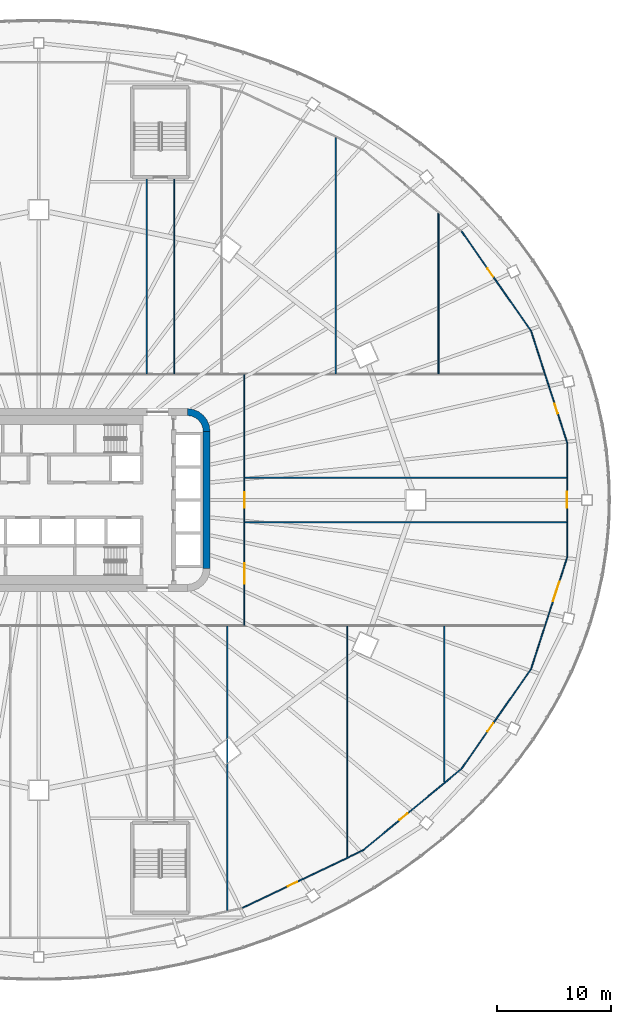
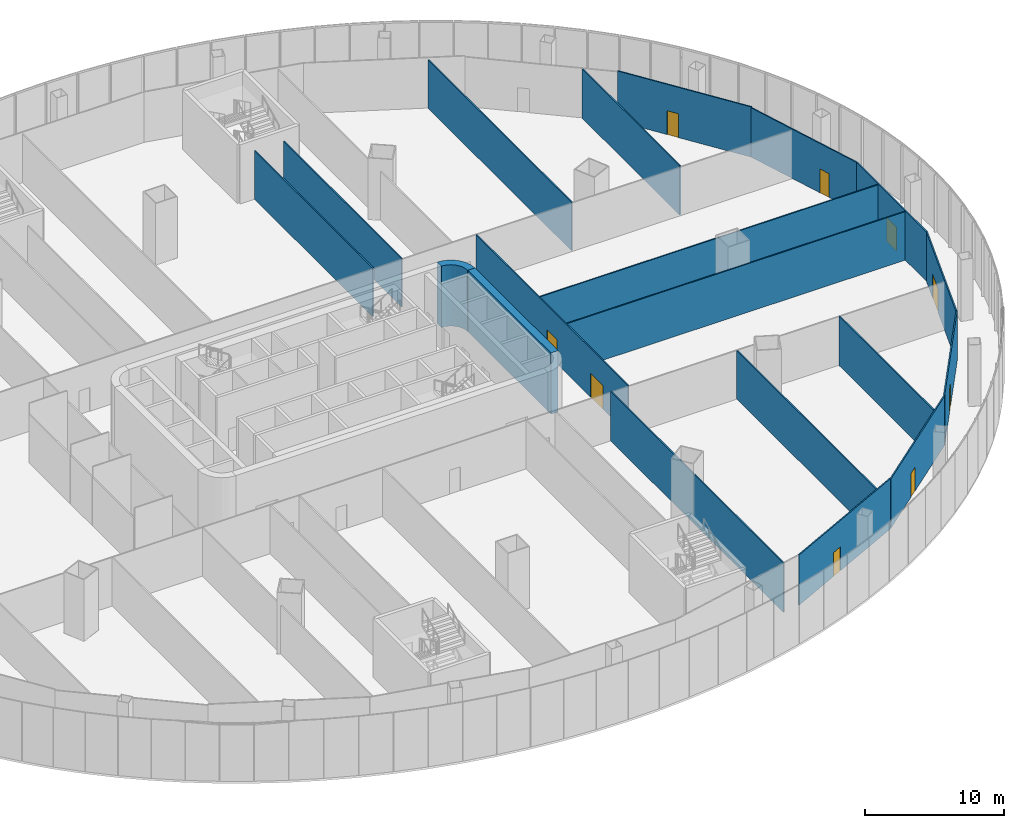
# One storey, part 26 of 42: 19 walls, 9 doors, 9 openings.
"""IFC4 building model written with IfcOpenShell, lengths in metres."""

import ifcopenshell
import ifcopenshell.guid

model = None  # the IFC model being written
_history = None  # IfcOwnerHistory: only IFC2X3 demands one
_inside = {}  # id of a spatial element -> (the spatial element, [elements in it])
_under = {}  # id of a project, library or spatial element -> (it, [spatial elements below it])
_declared = {}  # id of a project -> (the project, [libraries it declares])
_typed = {}  # id of a type object -> (the type object, [elements of that type])
_made_of = {}  # id of a material, layer set ... -> (it, [elements and type objects made of it])


def new_model(schema):
    """Start an empty IFC model of exactly this schema.

    Asked for "IFC4X3", IfcOpenShell would pick the latest addendum, in which some entities
    have other attributes; the version numbers below select the first issue.
    IFC2X3 requires an IfcOwnerHistory on every rooted entity: one is made here for all.
    """
    global model, _history
    if schema == "IFC4X3":
        model = ifcopenshell.file(schema_version=(4, 3, 0, 0))
    else:
        model = ifcopenshell.file(schema=schema)
    _inside.clear()
    _under.clear()
    _declared.clear()
    _typed.clear()
    _made_of.clear()
    _history = None
    if model.schema == "IFC2X3":
        org = make("IfcOrganization", Name="unknown")
        user = make(
            "IfcPersonAndOrganization",
            ThePerson=make("IfcPerson", FamilyName="unknown"),
            TheOrganization=org,
        )
        app = make(
            "IfcApplication",
            ApplicationDeveloper=org,
            Version="unknown",
            ApplicationFullName="unknown",
            ApplicationIdentifier="unknown",
        )
        _history = make(
            "IfcOwnerHistory",
            OwningUser=user,
            OwningApplication=app,
            ChangeAction="ADDED",
            CreationDate=0,
        )
    return model


def make(cls, **values):
    """One entity of the class cls with the attributes given. An attribute that is None is left unset."""
    return model.create_entity(
        cls, **{name: value for name, value in values.items() if value is not None}
    )


def rooted(cls, **values):
    """An entity with a GlobalId (a new one), such as an element, a storey or a relation."""
    return make(cls, GlobalId=ifcopenshell.guid.new(), OwnerHistory=_history, **values)


def si_unit(unit_type, name, prefix=None):
    """IfcSIUnit, for example si_unit("LENGTHUNIT", "METRE", prefix="MILLI")."""
    return make("IfcSIUnit", UnitType=unit_type, Prefix=prefix, Name=name)


def assignment(units):
    """IfcUnitAssignment: the units of a project."""
    return None if units is None else make("IfcUnitAssignment", Units=units)


def point(xyz):
    """IfcCartesianPoint."""
    return None if xyz is None else make("IfcCartesianPoint", Coordinates=xyz)


def direction(xyz):
    """IfcDirection."""
    return None if xyz is None else make("IfcDirection", DirectionRatios=xyz)


def frame(location, z_axis=None, x_axis=None):
    """IfcAxis2Placement3D, a coordinate frame: its origin and axes. An axis left out is left unset."""
    return make(
        "IfcAxis2Placement3D",
        Location=point(location),
        Axis=direction(z_axis),
        RefDirection=direction(x_axis),
    )


def frame_2d(location, x_axis=None):
    """IfcAxis2Placement2D, a coordinate frame in the plane: its origin and x axis."""
    return make(
        "IfcAxis2Placement2D", Location=point(location), RefDirection=direction(x_axis)
    )


def origin():
    """The frame at (0, 0, 0) with its axes left unset."""
    return frame((0.0, 0.0, 0.0))


def place(relative_to, where):
    """IfcLocalPlacement: puts the frame where relative to a parent placement (None: the world)."""
    return make(
        "IfcLocalPlacement", PlacementRelTo=relative_to, RelativePlacement=where
    )


def context(
    kind, dimensions, precision=None, world=None, true_north=None, identifier=None
):
    """IfcGeometricRepresentationContext, for example the 3D "Model" context."""
    return make(
        "IfcGeometricRepresentationContext",
        ContextIdentifier=identifier,
        ContextType=kind,
        CoordinateSpaceDimension=dimensions,
        Precision=precision,
        WorldCoordinateSystem=world,
        TrueNorth=true_north,
    )


def subcontext(parent, identifier, kind, view, scale=None):
    """IfcGeometricRepresentationSubContext, for example "Body" below "Model"."""
    return make(
        "IfcGeometricRepresentationSubContext",
        ContextIdentifier=identifier,
        ContextType=kind,
        ParentContext=parent,
        TargetScale=scale,
        TargetView=view,
    )


def project(units=None, contexts=None):
    """IfcProject with its units and contexts."""
    return rooted(
        "IfcProject",
        Name="project",
        RepresentationContexts=contexts,
        UnitsInContext=assignment(units),
    )


def spatial(cls, under=None, at=None, **own):
    """A site, building, storey or space (cls), placed at a placement, below another one or the project."""
    s = rooted(cls, ObjectPlacement=at, **own)
    if under is not None:
        _under.setdefault(under.id(), (under, []))[1].append(s)
    return s


def polyline(points):
    """IfcPolyline through the points."""
    return make("IfcPolyline", Points=[point(p) for p in points])


def profile(cls, at=None, kind="AREA", **sizes):
    """A parametric profile (cls). Its sizes go by their IFC names, for example OverallWidth=200.0."""
    return make(cls, ProfileType=kind, Position=at, **sizes)


def rectangle(**sizes):
    """IfcRectangleProfileDef."""
    return profile("IfcRectangleProfileDef", **sizes)


def outline(outer, holes=None, kind="AREA"):
    """IfcArbitraryClosedProfileDef: a profile drawn as a closed curve; with holes, ...WithVoids."""
    if holes is None:
        return make("IfcArbitraryClosedProfileDef", ProfileType=kind, OuterCurve=outer)
    return make(
        "IfcArbitraryProfileDefWithVoids",
        ProfileType=kind,
        OuterCurve=outer,
        InnerCurves=holes,
    )


def extrude(swept, where, along, depth):
    """IfcExtrudedAreaSolid: the profile swept, set in the frame where, extruded along a direction by depth."""
    return make(
        "IfcExtrudedAreaSolid",
        SweptArea=swept,
        Position=where,
        ExtrudedDirection=direction(along),
        Depth=depth,
    )


def shape(context_of_items, identifier, shape_type, items):
    """IfcShapeRepresentation: the items that make up one representation, for example the "Body"."""
    return make(
        "IfcShapeRepresentation",
        ContextOfItems=context_of_items,
        RepresentationIdentifier=identifier,
        RepresentationType=shape_type,
        Items=items,
    )


def material(Name=None, Category=None):
    """IfcMaterial."""
    return make("IfcMaterial", Name=Name, Category=Category)


def layer(
    of_material, thickness, ventilated=None, Name=None, Category=None, Priority=None
):
    """IfcMaterialLayer: one layer of a wall or slab, of a material (None: an air gap)."""
    return make(
        "IfcMaterialLayer",
        Material=of_material,
        LayerThickness=thickness,
        IsVentilated=ventilated,
        Name=Name,
        Category=Category,
        Priority=Priority,
    )


def layer_set(layers, Name=None):
    """IfcMaterialLayerSet."""
    return make("IfcMaterialLayerSet", MaterialLayers=layers, LayerSetName=Name)


def made_of(thing, what):
    """Note that an element or type object is made of a material, layer set ...; save() writes the relation."""
    if what is not None:
        _made_of.setdefault(what.id(), (what, []))[1].append(thing)
    return thing


def type_object(cls, material=None, **own):
    """A type object (cls), such as IfcWallType, which elements share."""
    return made_of(rooted(cls, **own), material)


def element(
    cls,
    number,
    at=None,
    inside=None,
    cuts=None,
    type_object=None,
    material=None,
    context=None,
    identifier="Body",
    shape_type=None,
    held_by="IfcProductDefinitionShape",
    body=None,
    shapes=None,
    **own,
):
    """One element of the class cls, such as IfcWall. Its Tag is "e" and its number.

    at: its placement. inside: the storey or other place that contains it. cuts: it is an
    opening in that element (IfcRelVoidsElement). A single representation is given by context,
    identifier, shape_type and body (its items); several are given by shapes. held_by: the class
    of the entity that holds the representations. save() writes the other relations.
    """
    e = rooted(cls, Tag="e%d" % number, ObjectPlacement=at, **own)
    if body is not None:
        shapes = [shape(context, identifier, shape_type, body)]
    if shapes is not None:
        e.Representation = make(held_by, Representations=shapes)
    if inside is not None:
        _inside.setdefault(inside.id(), (inside, []))[1].append(e)
    if cuts is not None:
        rooted(
            "IfcRelVoidsElement", RelatingBuildingElement=cuts, RelatedOpeningElement=e
        )
    if type_object is not None:
        _typed.setdefault(type_object.id(), (type_object, []))[1].append(e)
    return made_of(e, material)


def fill(opening, filler):
    """IfcRelFillsElement: the door or window that sits in an opening."""
    return rooted(
        "IfcRelFillsElement",
        RelatingOpeningElement=opening,
        RelatedBuildingElement=filler,
    )


def aggregate(whole, parts):
    """IfcRelAggregates: a whole, such as a stair, and the parts it consists of."""
    return rooted("IfcRelAggregates", RelatingObject=whole, RelatedObjects=parts)


def save(model, path):
    """Write the relations noted so far, then the file.

    IfcRelAggregates (storeys below a building ...), IfcRelContainedInSpatialStructure (elements
    in a storey), IfcRelDefinesByType, IfcRelAssociatesMaterial and IfcRelDeclares: one each for
    every whole, place, type object, material and project.
    """
    for whole, parts in _under.values():
        aggregate(whole, parts)
    for where, things in _inside.values():
        rooted(
            "IfcRelContainedInSpatialStructure",
            RelatedElements=things,
            RelatingStructure=where,
        )
    for kind, things in _typed.values():
        rooted("IfcRelDefinesByType", RelatedObjects=things, RelatingType=kind)
    for what, things in _made_of.values():
        rooted("IfcRelAssociatesMaterial", RelatedObjects=things, RelatingMaterial=what)
    for by, libraries in _declared.values():
        rooted("IfcRelDeclares", RelatingContext=by, RelatedDefinitions=libraries)
    model.write(path)


model = new_model("IFC4")

# Units and contexts
model_context = context("Model", 3, precision=1e-05, world=origin(), true_north=direction((0.0, 1.0)))
body_context = subcontext(model_context, "Body", "Model", "MODEL_VIEW")
ifc_project = project(units=[si_unit("LENGTHUNIT", "METRE"), si_unit("AREAUNIT", "SQUARE_METRE"), si_unit("VOLUMEUNIT", "CUBIC_METRE"), si_unit("PLANEANGLEUNIT", "RADIAN"), si_unit("MASSUNIT", "GRAM", prefix="KILO")], contexts=[model_context])

# Site, building, storey
site_placement = place(None, origin())
site = spatial("IfcSite", under=ifc_project, at=site_placement, CompositionType="ELEMENT")
building_placement = place(site_placement, origin())
building = spatial("IfcBuilding", under=site, at=building_placement, Name="Sahrelin Media Tower", CompositionType="ELEMENT")
storey_placement = place(building_placement, frame((0.0, 0.0, 26.0)))
storey = spatial("IfcBuildingStorey", under=building, at=storey_placement, Name="L03", CompositionType="ELEMENT", Elevation=26.0)

# Walls
ifc_material_1 = material(Name="Concrete C60/75", Category="concrete")
ifc_layer_1 = layer(ifc_material_1, 0.60009765625)
ifc_layer_set_1 = layer_set([ifc_layer_1], Name="Core wall 600")
wall_type_1 = type_object("IfcWallType", Name="Core wall 600", PredefinedType="SHEAR", material=ifc_layer_set_1)
wall_1_placement = place(storey_placement, frame((14.699951171875, -6.0, 0.0), z_axis=(0.0, 0.0, 1.0), x_axis=(0.0, 1.0, 0.0)))
element("IfcWall", 1, at=wall_1_placement, inside=storey, type_object=wall_type_1, Name="Core wall E L03", PredefinedType="SHEAR", context=body_context, shape_type="SweptSolid", body=[
    extrude(rectangle(XDim=12.0, YDim=0.60009765625, at=frame_2d((6.0, 0.0))), origin(), (0.0, 0.0, 1.0), 5.39990234375),
])
wall_2_placement = place(storey_placement, origin())
element("IfcWall", 2, at=wall_2_placement, inside=storey, type_object=wall_type_1, Name="Core wall corner NE L03", PredefinedType="SHEAR", context=body_context, shape_type="SweptSolid", body=[
    extrude(outline(polyline([(13.0, 8.0), (13.0, 7.394775390625), (13.361083984375, 7.347412109375), (13.697509765625, 7.2080078125), (13.986328125, 6.986328125), (14.2080078125, 6.697509765625), (14.347412109375, 6.361083984375), (14.394775390625, 6.0), (15.0, 6.0), (14.931884765625, 6.517578125), (14.732177734375, 7.0), (14.414306640625, 7.414306640625), (14.0, 7.732177734375), (13.517578125, 7.931884765625), (13.0, 8.0)])), origin(), (0.0, 0.0, 1.0), 5.39990234375),
])

# Wall, opening, door
ifc_material_2 = material(Name="Gypsum board partition")
ifc_layer_2 = layer(ifc_material_2, 0.10009765625)
ifc_layer_set_2 = layer_set([ifc_layer_2], Name="Partition 100")
wall_type_2 = type_object("IfcWallType", Name="Partition 100", PredefinedType="PARTITIONING", material=ifc_layer_set_2)
wall_3_placement = place(storey_placement, frame((46.2509765625, 5.044921875, 0.0), z_axis=(0.0, 0.0, 1.0), x_axis=(-0.307713034182, 0.951479210805, 0.0)))
wall_3 = element("IfcWall", 3, at=wall_3_placement, inside=storey, type_object=wall_type_2, Name="Wall", PredefinedType="PARTITIONING", context=body_context, shape_type="SweptSolid", body=[
    extrude(rectangle(XDim=10.242919921875, YDim=0.10009765625, at=frame_2d((5.12158203125, 0.0))), origin(), (0.0, 0.0, 1.0), 4.34521484375),
])
opening_1_placement = place(wall_3_placement, frame((2.64990234375, 0.0, 0.0)))
opening_1 = element("IfcOpeningElement", 4, at=opening_1_placement, cuts=wall_3, Name="Opening L03-D44", PredefinedType="OPENING", context=body_context, shape_type="SweptSolid", body=[
    extrude(rectangle(XDim=0.89990234375, YDim=2.10009765625, at=frame_2d((0.449951171875, 1.050048828125))), frame((0.0, 0.050048828125, 0.0), z_axis=(0.0, -1.0, 0.0), x_axis=(1.0, 0.0, 0.0)), (0.0, 0.0, 1.0), 0.10009765625),
])
ifc_material_3 = material(Name="Timber door leaf", Category="wood")
door_type_1 = type_object("IfcDoorType", Name="Single door 900 x 2100", OperationType="NOTDEFINED", PredefinedType="DOOR", material=ifc_material_3)
door_1_placement = place(opening_1_placement, origin())
door_1 = element("IfcDoor", 5, at=door_1_placement, inside=storey, type_object=door_type_1, Name="Single door", OperationType="SINGLE_SWING_LEFT", OverallHeight=2.10009765625, OverallWidth=0.89990234375, PredefinedType="DOOR", context=body_context, shape_type="SweptSolid", body=[
    extrude(rectangle(XDim=0.89990234375, YDim=2.10009765625, at=frame_2d((0.449951171875, 1.050048828125))), frame((0.0, 0.02490234375, 0.0), z_axis=(0.0, -1.0, 0.0), x_axis=(1.0, 0.0, 0.0)), (0.0, 0.0, 1.0), 0.050048828125),
])
fill(opening_1, door_1)

wall_4_placement = place(storey_placement, frame((43.09912109375, 14.790771484375, 0.0), z_axis=(0.0, 0.0, 1.0), x_axis=(-0.571737958261, 0.820436290692, 0.0)))
wall_4 = element("IfcWall", 6, at=wall_4_placement, inside=storey, type_object=wall_type_2, Name="Wall", PredefinedType="PARTITIONING", context=body_context, shape_type="SweptSolid", body=[
    extrude(rectangle(XDim=10.650146484375, YDim=0.10009765625, at=frame_2d((5.3251953125, 0.0))), origin(), (0.0, 0.0, 1.0), 4.426025390625),
])
opening_2_placement = place(wall_4_placement, frame((5.7900390625, 0.0, 0.0)))
opening_2 = element("IfcOpeningElement", 7, at=opening_2_placement, cuts=wall_4, Name="Opening L03-D33", PredefinedType="OPENING", context=body_context, shape_type="SweptSolid", body=[
    extrude(rectangle(XDim=0.89990234375, YDim=2.10009765625, at=frame_2d((0.449951171875, 1.050048828125))), frame((0.0, 0.050048828125, 0.0), z_axis=(0.0, -1.0, 0.0), x_axis=(1.0, 0.0, 0.0)), (0.0, 0.0, 1.0), 0.10009765625),
])
door_2_placement = place(opening_2_placement, origin())
door_2 = element("IfcDoor", 8, at=door_2_placement, inside=storey, type_object=door_type_1, Name="Single door", OperationType="SINGLE_SWING_RIGHT", OverallHeight=2.10009765625, OverallWidth=0.89990234375, PredefinedType="DOOR", context=body_context, shape_type="SweptSolid", body=[
    extrude(rectangle(XDim=0.89990234375, YDim=2.10009765625, at=frame_2d((0.449951171875, 1.050048828125))), frame((0.0, 0.02490234375, 0.0), z_axis=(0.0, -1.0, 0.0), x_axis=(1.0, 0.0, 0.0)), (0.0, 0.0, 1.0), 0.050048828125),
])
fill(opening_2, door_2)

wall_5_placement = place(storey_placement, frame((17.852294921875, -35.7080078125, 0.0), z_axis=(0.0, 0.0, 1.0), x_axis=(0.902100999032, 0.431524955878, 0.0)))
wall_5 = element("IfcWall", 9, at=wall_5_placement, inside=storey, type_object=wall_type_2, Name="Wall", PredefinedType="PARTITIONING", context=body_context, shape_type="SweptSolid", body=[
    extrude(rectangle(XDim=11.69091796875, YDim=0.10009765625, at=frame_2d((5.845458984375, 0.0))), origin(), (0.0, 0.0, 1.0), 4.426025390625),
])
opening_3_placement = place(wall_5_placement, frame((4.385009765625, 0.0, 0.0)))
opening_3 = element("IfcOpeningElement", 10, at=opening_3_placement, cuts=wall_5, Name="Opening L03-D39", PredefinedType="OPENING", context=body_context, shape_type="SweptSolid", body=[
    extrude(rectangle(XDim=0.89990234375, YDim=2.10009765625, at=frame_2d((0.449951171875, 1.050048828125))), frame((0.0, 0.050048828125, 0.0), z_axis=(0.0, -1.0, 0.0), x_axis=(1.0, 0.0, 0.0)), (0.0, 0.0, 1.0), 0.10009765625),
])
door_3_placement = place(opening_3_placement, origin())
door_3 = element("IfcDoor", 11, at=door_3_placement, inside=storey, type_object=door_type_1, Name="Single door", OperationType="SINGLE_SWING_LEFT", OverallHeight=2.10009765625, OverallWidth=0.89990234375, PredefinedType="DOOR", context=body_context, shape_type="SweptSolid", body=[
    extrude(rectangle(XDim=0.89990234375, YDim=2.10009765625, at=frame_2d((0.449951171875, 1.050048828125))), frame((0.0, 0.02490234375, 0.0), z_axis=(0.0, -1.0, 0.0), x_axis=(1.0, 0.0, 0.0)), (0.0, 0.0, 1.0), 0.050048828125),
])
fill(opening_3, door_3)

wall_6_placement = place(storey_placement, frame((28.398681640625, -30.6630859375, 0.0), z_axis=(0.0, 0.0, 1.0), x_axis=(0.770046995363, 0.637987166746, 0.0)))
wall_6 = element("IfcWall", 12, at=wall_6_placement, inside=storey, type_object=wall_type_2, Name="Wall", PredefinedType="PARTITIONING", context=body_context, shape_type="SweptSolid", body=[
    extrude(rectangle(XDim=11.182861328125, YDim=0.10009765625, at=frame_2d((5.59130859375, 0.0))), origin(), (0.0, 0.0, 1.0), 4.34521484375),
])
opening_4_placement = place(wall_6_placement, frame((4.14990234375, 0.0, 0.0)))
opening_4 = element("IfcOpeningElement", 13, at=opening_4_placement, cuts=wall_6, Name="Opening L03-D40", PredefinedType="OPENING", context=body_context, shape_type="SweptSolid", body=[
    extrude(rectangle(XDim=0.89990234375, YDim=2.10009765625, at=frame_2d((0.449951171875, 1.050048828125))), frame((0.0, 0.050048828125, 0.0), z_axis=(0.0, -1.0, 0.0), x_axis=(1.0, 0.0, 0.0)), (0.0, 0.0, 1.0), 0.10009765625),
])
door_4_placement = place(opening_4_placement, origin())
door_4 = element("IfcDoor", 14, at=door_4_placement, inside=storey, type_object=door_type_1, Name="Single door", OperationType="SINGLE_SWING_LEFT", OverallHeight=2.10009765625, OverallWidth=0.89990234375, PredefinedType="DOOR", context=body_context, shape_type="SweptSolid", body=[
    extrude(rectangle(XDim=0.89990234375, YDim=2.10009765625, at=frame_2d((0.449951171875, 1.050048828125))), frame((0.0, 0.02490234375, 0.0), z_axis=(0.0, -1.0, 0.0), x_axis=(1.0, 0.0, 0.0)), (0.0, 0.0, 1.0), 0.050048828125),
])
fill(opening_4, door_4)

wall_7_placement = place(storey_placement, frame((37.010009765625, -23.528564453125, 0.0), z_axis=(0.0, 0.0, 1.0), x_axis=(0.571737958261, 0.820436290692, 0.0)))
wall_7 = element("IfcWall", 15, at=wall_7_placement, inside=storey, type_object=wall_type_2, Name="Wall", PredefinedType="PARTITIONING", context=body_context, shape_type="SweptSolid", body=[
    extrude(rectangle(XDim=10.650146484375, YDim=0.10009765625, at=frame_2d((5.3251953125, 0.0))), origin(), (0.0, 0.0, 1.0), 4.426025390625),
])
opening_5_placement = place(wall_7_placement, frame((3.9599609375, 0.0, 0.0)))
opening_5 = element("IfcOpeningElement", 16, at=opening_5_placement, cuts=wall_7, Name="Opening L03-D41", PredefinedType="OPENING", context=body_context, shape_type="SweptSolid", body=[
    extrude(rectangle(XDim=0.89990234375, YDim=2.10009765625, at=frame_2d((0.449951171875, 1.050048828125))), frame((0.0, 0.050048828125, 0.0), z_axis=(0.0, -1.0, 0.0), x_axis=(1.0, 0.0, 0.0)), (0.0, 0.0, 1.0), 0.10009765625),
])
door_5_placement = place(opening_5_placement, origin())
door_5 = element("IfcDoor", 17, at=door_5_placement, inside=storey, type_object=door_type_1, Name="Single door", OperationType="SINGLE_SWING_LEFT", OverallHeight=2.10009765625, OverallWidth=0.89990234375, PredefinedType="DOOR", context=body_context, shape_type="SweptSolid", body=[
    extrude(rectangle(XDim=0.89990234375, YDim=2.10009765625, at=frame_2d((0.449951171875, 1.050048828125))), frame((0.0, 0.02490234375, 0.0), z_axis=(0.0, -1.0, 0.0), x_axis=(1.0, 0.0, 0.0)), (0.0, 0.0, 1.0), 0.050048828125),
])
fill(opening_5, door_5)

wall_8_placement = place(storey_placement, frame((43.09912109375, -14.790771484375, 0.0), z_axis=(0.0, 0.0, 1.0), x_axis=(0.307713034182, 0.951479210805, 0.0)))
wall_8 = element("IfcWall", 18, at=wall_8_placement, inside=storey, type_object=wall_type_2, Name="Wall", PredefinedType="PARTITIONING", context=body_context, shape_type="SweptSolid", body=[
    extrude(rectangle(XDim=10.242919921875, YDim=0.10009765625, at=frame_2d((5.12158203125, 0.0))), origin(), (0.0, 0.0, 1.0), 4.34521484375),
])
opening_6_placement = place(wall_8_placement, frame((6.220947265625, 0.0, 0.0)))
opening_6 = element("IfcOpeningElement", 19, at=opening_6_placement, cuts=wall_8, Name="Opening L03-D43", PredefinedType="OPENING", context=body_context, shape_type="SweptSolid", body=[
    extrude(rectangle(XDim=1.800048828125, YDim=2.10009765625, at=frame_2d((0.89990234375, 1.050048828125))), frame((0.0, 0.050048828125, 0.0), z_axis=(0.0, -1.0, 0.0), x_axis=(1.0, 0.0, 0.0)), (0.0, 0.0, 1.0), 0.10009765625),
])
door_type_2 = type_object("IfcDoorType", Name="Double door 1800 x 2100", OperationType="DOUBLE_DOOR_SINGLE_SWING", PredefinedType="DOOR", material=ifc_material_3)
door_6_placement = place(opening_6_placement, origin())
door_6 = element("IfcDoor", 20, at=door_6_placement, inside=storey, type_object=door_type_2, Name="Double door", OperationType="DOUBLE_DOOR_SINGLE_SWING", OverallHeight=2.10009765625, OverallWidth=1.800048828125, PredefinedType="DOOR", context=body_context, shape_type="SweptSolid", body=[
    extrude(rectangle(XDim=1.800048828125, YDim=2.10009765625, at=frame_2d((0.89990234375, 1.050048828125))), frame((0.0, 0.02490234375, 0.0), z_axis=(0.0, -1.0, 0.0), x_axis=(1.0, 0.0, 0.0)), (0.0, 0.0, 1.0), 0.050048828125),
])
fill(opening_6, door_6)

wall_9_placement = place(storey_placement, frame((46.2509765625, -5.044921875, 0.0), z_axis=(0.0, 0.0, 1.0), x_axis=(0.0, 1.0, 0.0)))
wall_9 = element("IfcWall", 21, at=wall_9_placement, inside=storey, type_object=wall_type_2, Name="Wall", PredefinedType="PARTITIONING", context=body_context, shape_type="SweptSolid", body=[
    extrude(rectangle(XDim=10.08984375, YDim=0.10009765625, at=frame_2d((5.044921875, 0.0))), origin(), (0.0, 0.0, 1.0), 4.34521484375),
])
opening_7_placement = place(wall_9_placement, frame((4.35009765625, 0.0, 0.0)))
opening_7 = element("IfcOpeningElement", 22, at=opening_7_placement, cuts=wall_9, Name="Opening L03-D25", PredefinedType="OPENING", context=body_context, shape_type="SweptSolid", body=[
    extrude(rectangle(XDim=1.39990234375, YDim=2.10009765625, at=frame_2d((0.699951171875, 1.050048828125))), frame((0.0, 0.050048828125, 0.0), z_axis=(0.0, -1.0, 0.0), x_axis=(1.0, 0.0, 0.0)), (0.0, 0.0, 1.0), 0.10009765625),
])
door_type_3 = type_object("IfcDoorType", Name="Single door 1400 x 2100", OperationType="NOTDEFINED", PredefinedType="DOOR", material=ifc_material_3)
door_7_placement = place(opening_7_placement, origin())
door_7 = element("IfcDoor", 23, at=door_7_placement, inside=storey, type_object=door_type_3, Name="Single door", OperationType="SINGLE_SWING_RIGHT", OverallHeight=2.10009765625, OverallWidth=1.39990234375, PredefinedType="DOOR", context=body_context, shape_type="SweptSolid", body=[
    extrude(rectangle(XDim=1.39990234375, YDim=2.10009765625, at=frame_2d((0.699951171875, 1.050048828125))), frame((0.0, 0.02490234375, 0.0), z_axis=(0.0, -1.0, 0.0), x_axis=(1.0, 0.0, 0.0)), (0.0, 0.0, 1.0), 0.050048828125),
])
fill(opening_7, door_7)

# Wall, openings, doors
wall_10_placement = place(storey_placement, frame((18.0, -10.949951171875, 0.0), z_axis=(0.0, 0.0, 1.0), x_axis=(0.0, 1.0, 0.0)))
wall_10 = element("IfcWall", 24, at=wall_10_placement, inside=storey, type_object=wall_type_2, Name="Wall", PredefinedType="PARTITIONING", context=body_context, shape_type="SweptSolid", body=[
    extrude(rectangle(XDim=21.89990234375, YDim=0.10009765625, at=frame_2d((10.949951171875, 0.0))), origin(), (0.0, 0.0, 1.0), 4.277099609375),
])
opening_8_placement = place(wall_10_placement, frame((10.25, 0.0, 0.0)))
opening_8 = element("IfcOpeningElement", 25, at=opening_8_placement, cuts=wall_10, Name="Opening L03-D24", PredefinedType="OPENING", context=body_context, shape_type="SweptSolid", body=[
    extrude(rectangle(XDim=1.39990234375, YDim=2.10009765625, at=frame_2d((0.699951171875, 1.050048828125))), frame((0.0, 0.050048828125, 0.0), z_axis=(0.0, -1.0, 0.0), x_axis=(1.0, 0.0, 0.0)), (0.0, 0.0, 1.0), 0.10009765625),
])
opening_9_placement = place(wall_10_placement, frame((3.60009765625, 0.0, 0.0)))
opening_9 = element("IfcOpeningElement", 26, at=opening_9_placement, cuts=wall_10, Name="Opening L03-D42", PredefinedType="OPENING", context=body_context, shape_type="SweptSolid", body=[
    extrude(rectangle(XDim=1.800048828125, YDim=2.10009765625, at=frame_2d((0.89990234375, 1.050048828125))), frame((0.0, 0.050048828125, 0.0), z_axis=(0.0, -1.0, 0.0), x_axis=(1.0, 0.0, 0.0)), (0.0, 0.0, 1.0), 0.10009765625),
])
door_8_placement = place(opening_9_placement, origin())
door_8 = element("IfcDoor", 27, at=door_8_placement, inside=storey, type_object=door_type_2, Name="Double door", OperationType="DOUBLE_DOOR_SINGLE_SWING", OverallHeight=2.10009765625, OverallWidth=1.800048828125, PredefinedType="DOOR", context=body_context, shape_type="SweptSolid", body=[
    extrude(rectangle(XDim=1.800048828125, YDim=2.10009765625, at=frame_2d((0.89990234375, 1.050048828125))), frame((0.0, 0.02490234375, 0.0), z_axis=(0.0, -1.0, 0.0), x_axis=(1.0, 0.0, 0.0)), (0.0, 0.0, 1.0), 0.050048828125),
])
fill(opening_9, door_8)
door_9_placement = place(opening_8_placement, origin())
door_9 = element("IfcDoor", 28, at=door_9_placement, inside=storey, type_object=door_type_3, Name="Single door", OperationType="SINGLE_SWING_RIGHT", OverallHeight=2.10009765625, OverallWidth=1.39990234375, PredefinedType="DOOR", context=body_context, shape_type="SweptSolid", body=[
    extrude(rectangle(XDim=1.39990234375, YDim=2.10009765625, at=frame_2d((0.699951171875, 1.050048828125))), frame((0.0, 0.02490234375, 0.0), z_axis=(0.0, -1.0, 0.0), x_axis=(1.0, 0.0, 0.0)), (0.0, 0.0, 1.0), 0.050048828125),
])
fill(opening_8, door_9)

# Walls
wall_11_placement = place(storey_placement, frame((26.0, 11.050048828125, 0.0), z_axis=(0.0, 0.0, 1.0), x_axis=(0.0, 1.0, 0.0)))
element("IfcWall", 29, at=wall_11_placement, inside=storey, type_object=wall_type_2, Name="Wall", PredefinedType="PARTITIONING", context=body_context, shape_type="SweptSolid", body=[
    extrude(rectangle(XDim=20.68115234375, YDim=0.10009765625, at=frame_2d((10.340576171875, 0.0))), origin(), (0.0, 0.0, 1.0), 4.268310546875),
])
wall_12_placement = place(storey_placement, frame((35.0, 11.050048828125, 0.0), z_axis=(0.0, 0.0, 1.0), x_axis=(0.0, 1.0, 0.0)))
element("IfcWall", 30, at=wall_12_placement, inside=storey, type_object=wall_type_2, Name="Wall", PredefinedType="PARTITIONING", context=body_context, shape_type="SweptSolid", body=[
    extrude(rectangle(XDim=14.037353515625, YDim=0.10009765625, at=frame_2d((7.0185546875, 0.0))), origin(), (0.0, 0.0, 1.0), 4.34521484375),
])
wall_13_placement = place(storey_placement, frame((16.5, -11.050048828125, 0.0), z_axis=(0.0, 0.0, 1.0), x_axis=(0.0, -1.0, 0.0)))
element("IfcWall", 31, at=wall_13_placement, inside=storey, type_object=wall_type_2, Name="Wall", PredefinedType="PARTITIONING", context=body_context, shape_type="SweptSolid", body=[
    extrude(rectangle(XDim=24.895751953125, YDim=0.10009765625, at=frame_2d((12.44775390625, 0.0))), origin(), (0.0, 0.0, 1.0), 4.34521484375),
])
wall_14_placement = place(storey_placement, frame((27.0, -11.050048828125, 0.0), z_axis=(0.0, 0.0, 1.0), x_axis=(0.0, -1.0, 0.0)))
element("IfcWall", 32, at=wall_14_placement, inside=storey, type_object=wall_type_2, Name="Wall", PredefinedType="PARTITIONING", context=body_context, shape_type="SweptSolid", body=[
    extrude(rectangle(XDim=20.20263671875, YDim=0.10009765625, at=frame_2d((10.101318359375, 0.0))), origin(), (0.0, 0.0, 1.0), 4.268310546875),
])
wall_15_placement = place(storey_placement, frame((35.5, -11.050048828125, 0.0), z_axis=(0.0, 0.0, 1.0), x_axis=(0.0, -1.0, 0.0)))
element("IfcWall", 33, at=wall_15_placement, inside=storey, type_object=wall_type_2, Name="Wall", PredefinedType="PARTITIONING", context=body_context, shape_type="SweptSolid", body=[
    extrude(rectangle(XDim=13.623291015625, YDim=0.10009765625, at=frame_2d((6.8115234375, 0.0))), origin(), (0.0, 0.0, 1.0), 4.34521484375),
])
for number, where, z_axis, x_axis, name in (
    (34, (18.050048828125, -1.949951171875, 0.0), (0.0, 0.0, 1.0), (1.0, 0.0, 0.0), "Wall"),
    (35, (18.050048828125, 1.949951171875, 0.0), (0.0, 0.0, 1.0), (1.0, 0.0, 0.0), "Wall"),
):
    element("IfcWall", number, at=place(storey_placement, frame(where, z_axis=z_axis, x_axis=x_axis)), inside=storey, type_object=wall_type_2, Name=name, PredefinedType="PARTITIONING", context=body_context, shape_type="SweptSolid", body=[
        extrude(rectangle(XDim=28.15087890625, YDim=0.10009765625, at=frame_2d((14.075439453125, 0.0))), origin(), (0.0, 0.0, 1.0), 4.268310546875),
    ])
for number, where, z_axis, x_axis, name in (
    (36, (9.449951171875, 11.050048828125, 0.0), (0.0, 0.0, 1.0), (0.0, 1.0, 0.0), "Wall"),
    (37, (11.85009765625, 11.050048828125, 0.0), (0.0, 0.0, 1.0), (0.0, 1.0, 0.0), "Wall"),
):
    element("IfcWall", number, at=place(storey_placement, frame(where, z_axis=z_axis, x_axis=x_axis)), inside=storey, type_object=wall_type_2, Name=name, PredefinedType="PARTITIONING", context=body_context, shape_type="SweptSolid", body=[
        extrude(rectangle(XDim=17.050048828125, YDim=0.10009765625, at=frame_2d((8.52490234375, 0.0))), origin(), (0.0, 0.0, 1.0), 4.268310546875),
    ])

save(model, "model.ifc")
